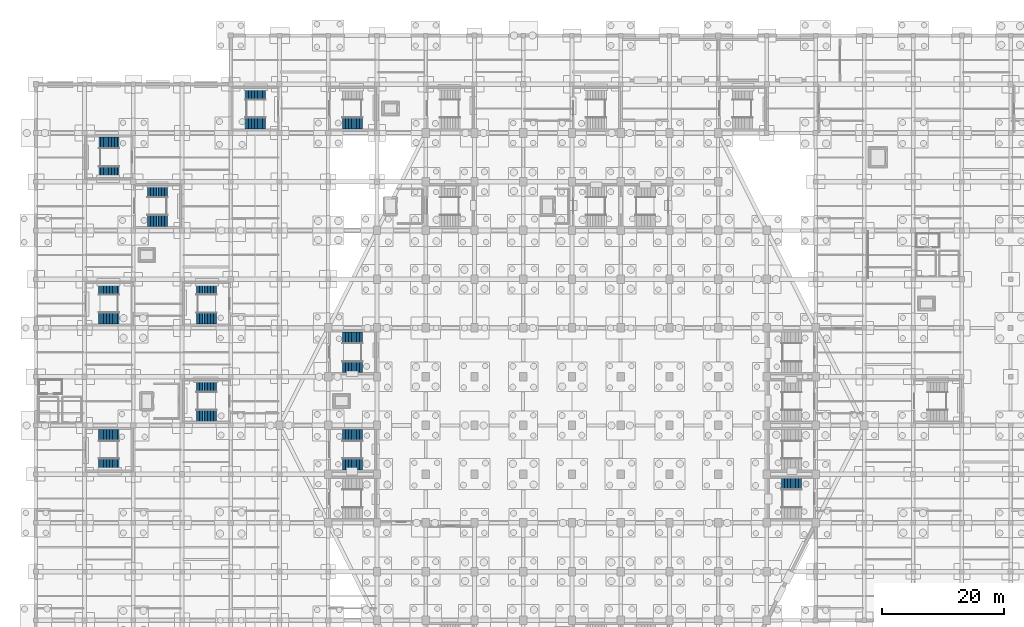
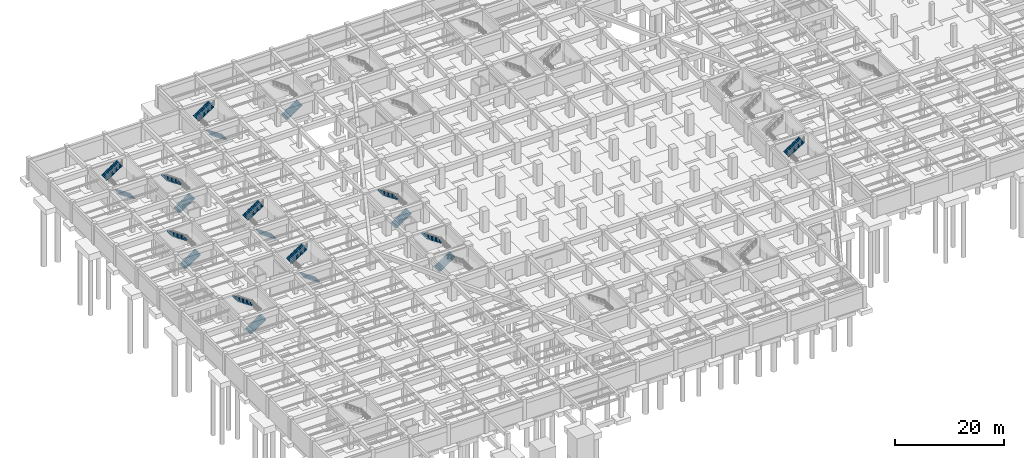
# One storey, part 31 of 36: 20 stair flights, 11 elements without a shape of their own.
"""IFC4 building model written with IfcOpenShell, lengths in metres."""

from ifc_helpers import new_model, si_unit, direction, frame, origin, place, context, subcontext, project, spatial, polyline, outline, extrude, material, type_object, element, aggregate, save


model = new_model("IFC4")

# Units and contexts
model_context = context("Model", 3, precision=1e-05, world=origin(), true_north=direction((0.0, 1.0)))
body_context = subcontext(model_context, "Body", "Model", "MODEL_VIEW")
ifc_project = project(units=[si_unit("LENGTHUNIT", "METRE"), si_unit("AREAUNIT", "SQUARE_METRE"), si_unit("VOLUMEUNIT", "CUBIC_METRE"), si_unit("PLANEANGLEUNIT", "RADIAN"), si_unit("MASSUNIT", "GRAM", prefix="KILO")], contexts=[model_context])

# Site, building, storey
site_placement = place(None, origin())
site = spatial("IfcSite", under=ifc_project, at=site_placement, CompositionType="ELEMENT")
building_placement = place(site_placement, origin())
building = spatial("IfcBuilding", under=site, at=building_placement, Name="Tazarka Park Arena", CompositionType="ELEMENT")
storey_placement = place(building_placement, frame((0.0, 0.0, -4.800048828125)))
storey = spatial("IfcBuildingStorey", under=building, at=storey_placement, Name="B1", CompositionType="ELEMENT", Elevation=-4.800048828125)

# Stair, stair flights
ifc_material_1 = material(Name="Precast concrete C40/50", Category="concrete")
stair_type_1 = type_object("IfcStairType", Name="STR-2400", PredefinedType="HALF_TURN_STAIR", material=ifc_material_1)
stair_1_placement = place(storey_placement, origin())
stair_1 = element("IfcStair", 1, at=stair_1_placement, inside=storey, type_object=stair_type_1, Name="Stair ST01 B1", PredefinedType="HALF_TURN_STAIR")
ifc_material_2 = material(Name="Precast concrete C40/50", Category="concrete")
stair_flight_type_1 = type_object("IfcStairFlightType", Name="FLT-1350", PredefinedType="STRAIGHT", material=ifc_material_2)
stair_flight_1_placement = place(storey_placement, frame((10.31494140625, 57.6298828125, 0.0), z_axis=(0.0, 0.0, 1.0), x_axis=(1.0, 0.0, 0.0)))
stair_flight_1 = element("IfcStairFlight", 2, at=stair_flight_1_placement, type_object=stair_flight_type_1, Name="ST01-B1 flight 1", NumberOfRisers=14, NumberOfTreads=13, PredefinedType="STRAIGHT", RiserHeight=0.171429, TreadLength=0.255, context=body_context, shape_type="SweptSolid", body=[
    extrude(outline(polyline([(0.0, 0.0), (0.0, 0.17138671875), (0.2548828125, 0.17138671875), (0.2548828125, 0.3427734375), (0.510009765625, 0.3427734375), (0.510009765625, 0.514404296875), (0.764892578125, 0.514404296875), (0.764892578125, 0.685791015625), (1.02001953125, 0.685791015625), (1.02001953125, 0.857177734375), (1.27490234375, 0.857177734375), (1.27490234375, 1.028564453125), (1.530029296875, 1.028564453125), (1.530029296875, 1.199951171875), (1.784912109375, 1.199951171875), (1.784912109375, 1.371337890625), (2.0400390625, 1.371337890625), (2.0400390625, 1.54296875), (2.294921875, 1.54296875), (2.294921875, 1.71435546875), (2.550048828125, 1.71435546875), (2.550048828125, 1.8857421875), (2.804931640625, 1.8857421875), (2.804931640625, 2.05712890625), (3.06005859375, 2.05712890625), (3.06005859375, 2.228515625), (3.31494140625, 2.228515625), (3.31494140625, 2.39990234375), (3.31494140625, 2.01171875), (0.322509765625, 0.0), (0.0, 0.0)])), frame((0.0, 0.969970703125, 0.0), z_axis=(0.0, -1.0, 0.0), x_axis=(1.0, 0.0, 0.0)), (0.0, 0.0, 1.0), 1.93994140625),
])
stair_flight_2_placement = place(storey_placement, frame((13.6298828125, 62.3701171875, 2.400146484375), z_axis=(0.0, 0.0, 1.0), x_axis=(-1.0, 0.0, 0.0)))
stair_flight_2 = element("IfcStairFlight", 3, at=stair_flight_2_placement, type_object=stair_flight_type_1, Name="ST01-B1 flight 2", NumberOfRisers=14, NumberOfTreads=13, PredefinedType="STRAIGHT", RiserHeight=0.171429, TreadLength=0.255, context=body_context, shape_type="SweptSolid", body=[
    extrude(outline(polyline([(0.0, 0.0), (0.0, 0.17138671875), (0.2548828125, 0.17138671875), (0.2548828125, 0.3427734375), (0.510009765625, 0.3427734375), (0.510009765625, 0.514404296875), (0.764892578125, 0.514404296875), (0.764892578125, 0.685791015625), (1.02001953125, 0.685791015625), (1.02001953125, 0.857177734375), (1.27490234375, 0.857177734375), (1.27490234375, 1.028564453125), (1.530029296875, 1.028564453125), (1.530029296875, 1.199951171875), (1.784912109375, 1.199951171875), (1.784912109375, 1.371337890625), (2.0400390625, 1.371337890625), (2.0400390625, 1.54296875), (2.294921875, 1.54296875), (2.294921875, 1.71435546875), (2.550048828125, 1.71435546875), (2.550048828125, 1.8857421875), (2.804931640625, 1.8857421875), (2.804931640625, 2.05712890625), (3.06005859375, 2.05712890625), (3.06005859375, 2.228515625), (3.31494140625, 2.228515625), (3.31494140625, 2.39990234375), (3.31494140625, 2.01171875), (0.322509765625, 0.0), (0.0, 0.0)])), frame((0.0, 0.969970703125, 0.0), z_axis=(0.0, -1.0, 0.0), x_axis=(1.0, 0.0, 0.0)), (0.0, 0.0, 1.0), 1.93994140625),
])
aggregate(stair_1, [stair_flight_1, stair_flight_2])

stair_2_placement = place(storey_placement, origin())
stair_2 = element("IfcStair", 4, at=stair_2_placement, inside=storey, type_object=stair_type_1, Name="Stair ST02 B1", PredefinedType="HALF_TURN_STAIR")
stair_flight_3_placement = place(storey_placement, frame((10.31494140625, 81.6298828125, 0.0), z_axis=(0.0, 0.0, 1.0), x_axis=(1.0, 0.0, 0.0)))
stair_flight_3 = element("IfcStairFlight", 5, at=stair_flight_3_placement, type_object=stair_flight_type_1, Name="ST02-B1 flight 1", NumberOfRisers=14, NumberOfTreads=13, PredefinedType="STRAIGHT", RiserHeight=0.171429, TreadLength=0.255, context=body_context, shape_type="SweptSolid", body=[
    extrude(outline(polyline([(0.0, 0.0), (0.0, 0.17138671875), (0.2548828125, 0.17138671875), (0.2548828125, 0.3427734375), (0.510009765625, 0.3427734375), (0.510009765625, 0.514404296875), (0.764892578125, 0.514404296875), (0.764892578125, 0.685791015625), (1.02001953125, 0.685791015625), (1.02001953125, 0.857177734375), (1.27490234375, 0.857177734375), (1.27490234375, 1.028564453125), (1.530029296875, 1.028564453125), (1.530029296875, 1.199951171875), (1.784912109375, 1.199951171875), (1.784912109375, 1.371337890625), (2.0400390625, 1.371337890625), (2.0400390625, 1.54296875), (2.294921875, 1.54296875), (2.294921875, 1.71435546875), (2.550048828125, 1.71435546875), (2.550048828125, 1.8857421875), (2.804931640625, 1.8857421875), (2.804931640625, 2.05712890625), (3.06005859375, 2.05712890625), (3.06005859375, 2.228515625), (3.31494140625, 2.228515625), (3.31494140625, 2.39990234375), (3.31494140625, 2.01171875), (0.322509765625, 0.0), (0.0, 0.0)])), frame((0.0, 0.969970703125, 0.0), z_axis=(0.0, -1.0, 0.0), x_axis=(1.0, 0.0, 0.0)), (0.0, 0.0, 1.0), 1.93994140625),
])
stair_flight_4_placement = place(storey_placement, frame((13.6298828125, 86.3701171875, 2.400146484375), z_axis=(0.0, 0.0, 1.0), x_axis=(-1.0, 0.0, 0.0)))
stair_flight_4 = element("IfcStairFlight", 6, at=stair_flight_4_placement, type_object=stair_flight_type_1, Name="ST02-B1 flight 2", NumberOfRisers=14, NumberOfTreads=13, PredefinedType="STRAIGHT", RiserHeight=0.171429, TreadLength=0.255, context=body_context, shape_type="SweptSolid", body=[
    extrude(outline(polyline([(0.0, 0.0), (0.0, 0.17138671875), (0.2548828125, 0.17138671875), (0.2548828125, 0.3427734375), (0.510009765625, 0.3427734375), (0.510009765625, 0.514404296875), (0.764892578125, 0.514404296875), (0.764892578125, 0.685791015625), (1.02001953125, 0.685791015625), (1.02001953125, 0.857177734375), (1.27490234375, 0.857177734375), (1.27490234375, 1.028564453125), (1.530029296875, 1.028564453125), (1.530029296875, 1.199951171875), (1.784912109375, 1.199951171875), (1.784912109375, 1.371337890625), (2.0400390625, 1.371337890625), (2.0400390625, 1.54296875), (2.294921875, 1.54296875), (2.294921875, 1.71435546875), (2.550048828125, 1.71435546875), (2.550048828125, 1.8857421875), (2.804931640625, 1.8857421875), (2.804931640625, 2.05712890625), (3.06005859375, 2.05712890625), (3.06005859375, 2.228515625), (3.31494140625, 2.228515625), (3.31494140625, 2.39990234375), (3.31494140625, 2.01171875), (0.322509765625, 0.0), (0.0, 0.0)])), frame((0.0, 0.969970703125, 0.0), z_axis=(0.0, -1.0, 0.0), x_axis=(1.0, 0.0, 0.0)), (0.0, 0.0, 1.0), 1.93994140625),
])
aggregate(stair_2, [stair_flight_3, stair_flight_4])

stair_3_placement = place(storey_placement, origin())
stair_3 = element("IfcStair", 7, at=stair_3_placement, inside=storey, type_object=stair_type_1, Name="Stair ST03 B1", PredefinedType="HALF_TURN_STAIR")
stair_flight_5_placement = place(storey_placement, frame((18.31494140625, 97.6298828125, 0.0), z_axis=(0.0, 0.0, 1.0), x_axis=(1.0, 0.0, 0.0)))
stair_flight_5 = element("IfcStairFlight", 8, at=stair_flight_5_placement, type_object=stair_flight_type_1, Name="ST03-B1 flight 1", NumberOfRisers=14, NumberOfTreads=13, PredefinedType="STRAIGHT", RiserHeight=0.171429, TreadLength=0.255, context=body_context, shape_type="SweptSolid", body=[
    extrude(outline(polyline([(0.0, 0.0), (0.0, 0.17138671875), (0.2548828125, 0.17138671875), (0.2548828125, 0.3427734375), (0.510009765625, 0.3427734375), (0.510009765625, 0.514404296875), (0.764892578125, 0.514404296875), (0.764892578125, 0.685791015625), (1.02001953125, 0.685791015625), (1.02001953125, 0.857177734375), (1.27490234375, 0.857177734375), (1.27490234375, 1.028564453125), (1.530029296875, 1.028564453125), (1.530029296875, 1.199951171875), (1.784912109375, 1.199951171875), (1.784912109375, 1.371337890625), (2.0400390625, 1.371337890625), (2.0400390625, 1.54296875), (2.294921875, 1.54296875), (2.294921875, 1.71435546875), (2.550048828125, 1.71435546875), (2.550048828125, 1.8857421875), (2.804931640625, 1.8857421875), (2.804931640625, 2.05712890625), (3.06005859375, 2.05712890625), (3.06005859375, 2.228515625), (3.31494140625, 2.228515625), (3.31494140625, 2.39990234375), (3.31494140625, 2.01171875), (0.322509765625, 0.0), (0.0, 0.0)])), frame((0.0, 0.969970703125, 0.0), z_axis=(0.0, -1.0, 0.0), x_axis=(1.0, 0.0, 0.0)), (0.0, 0.0, 1.0), 1.93994140625),
])
stair_flight_6_placement = place(storey_placement, frame((21.6298828125, 102.3701171875, 2.400146484375), z_axis=(0.0, 0.0, 1.0), x_axis=(-1.0, 0.0, 0.0)))
stair_flight_6 = element("IfcStairFlight", 9, at=stair_flight_6_placement, type_object=stair_flight_type_1, Name="ST03-B1 flight 2", NumberOfRisers=14, NumberOfTreads=13, PredefinedType="STRAIGHT", RiserHeight=0.171429, TreadLength=0.255, context=body_context, shape_type="SweptSolid", body=[
    extrude(outline(polyline([(0.0, 0.0), (0.0, 0.17138671875), (0.2548828125, 0.17138671875), (0.2548828125, 0.3427734375), (0.510009765625, 0.3427734375), (0.510009765625, 0.514404296875), (0.764892578125, 0.514404296875), (0.764892578125, 0.685791015625), (1.02001953125, 0.685791015625), (1.02001953125, 0.857177734375), (1.27490234375, 0.857177734375), (1.27490234375, 1.028564453125), (1.530029296875, 1.028564453125), (1.530029296875, 1.199951171875), (1.784912109375, 1.199951171875), (1.784912109375, 1.371337890625), (2.0400390625, 1.371337890625), (2.0400390625, 1.54296875), (2.294921875, 1.54296875), (2.294921875, 1.71435546875), (2.550048828125, 1.71435546875), (2.550048828125, 1.8857421875), (2.804931640625, 1.8857421875), (2.804931640625, 2.05712890625), (3.06005859375, 2.05712890625), (3.06005859375, 2.228515625), (3.31494140625, 2.228515625), (3.31494140625, 2.39990234375), (3.31494140625, 2.01171875), (0.322509765625, 0.0), (0.0, 0.0)])), frame((0.0, 0.969970703125, 0.0), z_axis=(0.0, -1.0, 0.0), x_axis=(1.0, 0.0, 0.0)), (0.0, 0.0, 1.0), 1.93994140625),
])
aggregate(stair_3, [stair_flight_5, stair_flight_6])

stair_4_placement = place(storey_placement, origin())
stair_4 = element("IfcStair", 10, at=stair_4_placement, inside=storey, type_object=stair_type_1, Name="Stair ST04 B1", PredefinedType="HALF_TURN_STAIR")
stair_flight_7_placement = place(storey_placement, frame((37.68505859375, 113.6298828125, 0.0), z_axis=(0.0, 0.0, 1.0), x_axis=(-1.0, 0.0, 0.0)))
stair_flight_7 = element("IfcStairFlight", 11, at=stair_flight_7_placement, type_object=stair_flight_type_1, Name="ST04-B1 flight 1", NumberOfRisers=14, NumberOfTreads=13, PredefinedType="STRAIGHT", RiserHeight=0.171429, TreadLength=0.255, context=body_context, shape_type="SweptSolid", body=[
    extrude(outline(polyline([(0.0, 0.0), (0.0, 0.17138671875), (0.2548828125, 0.17138671875), (0.2548828125, 0.3427734375), (0.510009765625, 0.3427734375), (0.510009765625, 0.514404296875), (0.764892578125, 0.514404296875), (0.764892578125, 0.685791015625), (1.02001953125, 0.685791015625), (1.02001953125, 0.857177734375), (1.27490234375, 0.857177734375), (1.27490234375, 1.028564453125), (1.530029296875, 1.028564453125), (1.530029296875, 1.199951171875), (1.784912109375, 1.199951171875), (1.784912109375, 1.371337890625), (2.0400390625, 1.371337890625), (2.0400390625, 1.54296875), (2.294921875, 1.54296875), (2.294921875, 1.71435546875), (2.550048828125, 1.71435546875), (2.550048828125, 1.8857421875), (2.804931640625, 1.8857421875), (2.804931640625, 2.05712890625), (3.06005859375, 2.05712890625), (3.06005859375, 2.228515625), (3.31494140625, 2.228515625), (3.31494140625, 2.39990234375), (3.31494140625, 2.01171875), (0.322509765625, 0.0), (0.0, 0.0)])), frame((0.0, 0.969970703125, 0.0), z_axis=(0.0, -1.0, 0.0), x_axis=(1.0, 0.0, 0.0)), (0.0, 0.0, 1.0), 1.93994140625),
])
stair_flight_8_placement = place(storey_placement, frame((34.3701171875, 118.3701171875, 2.400146484375), z_axis=(0.0, 0.0, 1.0), x_axis=(1.0, 0.0, 0.0)))
stair_flight_8 = element("IfcStairFlight", 12, at=stair_flight_8_placement, type_object=stair_flight_type_1, Name="ST04-B1 flight 2", NumberOfRisers=14, NumberOfTreads=13, PredefinedType="STRAIGHT", RiserHeight=0.171429, TreadLength=0.255, context=body_context, shape_type="SweptSolid", body=[
    extrude(outline(polyline([(0.0, 0.0), (0.0, 0.17138671875), (0.2548828125, 0.17138671875), (0.2548828125, 0.3427734375), (0.510009765625, 0.3427734375), (0.510009765625, 0.514404296875), (0.764892578125, 0.514404296875), (0.764892578125, 0.685791015625), (1.02001953125, 0.685791015625), (1.02001953125, 0.857177734375), (1.27490234375, 0.857177734375), (1.27490234375, 1.028564453125), (1.530029296875, 1.028564453125), (1.530029296875, 1.199951171875), (1.784912109375, 1.199951171875), (1.784912109375, 1.371337890625), (2.0400390625, 1.371337890625), (2.0400390625, 1.54296875), (2.294921875, 1.54296875), (2.294921875, 1.71435546875), (2.550048828125, 1.71435546875), (2.550048828125, 1.8857421875), (2.804931640625, 1.8857421875), (2.804931640625, 2.05712890625), (3.06005859375, 2.05712890625), (3.06005859375, 2.228515625), (3.31494140625, 2.228515625), (3.31494140625, 2.39990234375), (3.31494140625, 2.01171875), (0.322509765625, 0.0), (0.0, 0.0)])), frame((0.0, 0.969970703125, 0.0), z_axis=(0.0, -1.0, 0.0), x_axis=(1.0, 0.0, 0.0)), (0.0, 0.0, 1.0), 1.93994140625),
])
aggregate(stair_4, [stair_flight_7, stair_flight_8])

# Stair, stair flight
stair_5_placement = place(storey_placement, origin())
stair_5 = element("IfcStair", 13, at=stair_5_placement, inside=storey, type_object=stair_type_1, Name="Stair ST05 B1", PredefinedType="HALF_TURN_STAIR")
stair_flight_9_placement = place(storey_placement, frame((50.31494140625, 113.6298828125, 0.0), z_axis=(0.0, 0.0, 1.0), x_axis=(1.0, 0.0, 0.0)))
stair_flight_9 = element("IfcStairFlight", 14, at=stair_flight_9_placement, type_object=stair_flight_type_1, Name="ST05-B1 flight 1", NumberOfRisers=14, NumberOfTreads=13, PredefinedType="STRAIGHT", RiserHeight=0.171429, TreadLength=0.255, context=body_context, shape_type="SweptSolid", body=[
    extrude(outline(polyline([(0.0, 0.0), (0.0, 0.17138671875), (0.2548828125, 0.17138671875), (0.2548828125, 0.3427734375), (0.510009765625, 0.3427734375), (0.510009765625, 0.514404296875), (0.764892578125, 0.514404296875), (0.764892578125, 0.685791015625), (1.02001953125, 0.685791015625), (1.02001953125, 0.857177734375), (1.27490234375, 0.857177734375), (1.27490234375, 1.028564453125), (1.530029296875, 1.028564453125), (1.530029296875, 1.199951171875), (1.784912109375, 1.199951171875), (1.784912109375, 1.371337890625), (2.0400390625, 1.371337890625), (2.0400390625, 1.54296875), (2.294921875, 1.54296875), (2.294921875, 1.71435546875), (2.550048828125, 1.71435546875), (2.550048828125, 1.8857421875), (2.804931640625, 1.8857421875), (2.804931640625, 2.05712890625), (3.06005859375, 2.05712890625), (3.06005859375, 2.228515625), (3.31494140625, 2.228515625), (3.31494140625, 2.39990234375), (3.31494140625, 2.01171875), (0.322509765625, 0.0), (0.0, 0.0)])), frame((0.0, 0.969970703125, 0.0), z_axis=(0.0, -1.0, 0.0), x_axis=(1.0, 0.0, 0.0)), (0.0, 0.0, 1.0), 1.93994140625),
])
aggregate(stair_5, [stair_flight_9])

# Stair, stair flights
stair_6_placement = place(storey_placement, origin())
stair_6 = element("IfcStair", 15, at=stair_6_placement, inside=storey, type_object=stair_type_1, Name="Stair ST13 B1", PredefinedType="HALF_TURN_STAIR")
stair_flight_10_placement = place(storey_placement, frame((50.31494140625, 57.6298828125, 0.0), z_axis=(0.0, 0.0, 1.0), x_axis=(1.0, 0.0, 0.0)))
stair_flight_10 = element("IfcStairFlight", 16, at=stair_flight_10_placement, type_object=stair_flight_type_1, Name="ST13-B1 flight 1", NumberOfRisers=14, NumberOfTreads=13, PredefinedType="STRAIGHT", RiserHeight=0.171429, TreadLength=0.255, context=body_context, shape_type="SweptSolid", body=[
    extrude(outline(polyline([(0.0, 0.0), (0.0, 0.17138671875), (0.2548828125, 0.17138671875), (0.2548828125, 0.3427734375), (0.510009765625, 0.3427734375), (0.510009765625, 0.514404296875), (0.764892578125, 0.514404296875), (0.764892578125, 0.685791015625), (1.02001953125, 0.685791015625), (1.02001953125, 0.857177734375), (1.27490234375, 0.857177734375), (1.27490234375, 1.028564453125), (1.530029296875, 1.028564453125), (1.530029296875, 1.199951171875), (1.784912109375, 1.199951171875), (1.784912109375, 1.371337890625), (2.0400390625, 1.371337890625), (2.0400390625, 1.54296875), (2.294921875, 1.54296875), (2.294921875, 1.71435546875), (2.550048828125, 1.71435546875), (2.550048828125, 1.8857421875), (2.804931640625, 1.8857421875), (2.804931640625, 2.05712890625), (3.06005859375, 2.05712890625), (3.06005859375, 2.228515625), (3.31494140625, 2.228515625), (3.31494140625, 2.39990234375), (3.31494140625, 2.01171875), (0.322509765625, 0.0), (0.0, 0.0)])), frame((0.0, 0.969970703125, 0.0), z_axis=(0.0, -1.0, 0.0), x_axis=(1.0, 0.0, 0.0)), (0.0, 0.0, 1.0), 1.93994140625),
])
stair_flight_11_placement = place(storey_placement, frame((53.6298828125, 62.3701171875, 2.400146484375), z_axis=(0.0, 0.0, 1.0), x_axis=(-1.0, 0.0, 0.0)))
stair_flight_11 = element("IfcStairFlight", 17, at=stair_flight_11_placement, type_object=stair_flight_type_1, Name="ST13-B1 flight 2", NumberOfRisers=14, NumberOfTreads=13, PredefinedType="STRAIGHT", RiserHeight=0.171429, TreadLength=0.255, context=body_context, shape_type="SweptSolid", body=[
    extrude(outline(polyline([(0.0, 0.0), (0.0, 0.17138671875), (0.2548828125, 0.17138671875), (0.2548828125, 0.3427734375), (0.510009765625, 0.3427734375), (0.510009765625, 0.514404296875), (0.764892578125, 0.514404296875), (0.764892578125, 0.685791015625), (1.02001953125, 0.685791015625), (1.02001953125, 0.857177734375), (1.27490234375, 0.857177734375), (1.27490234375, 1.028564453125), (1.530029296875, 1.028564453125), (1.530029296875, 1.199951171875), (1.784912109375, 1.199951171875), (1.784912109375, 1.371337890625), (2.0400390625, 1.371337890625), (2.0400390625, 1.54296875), (2.294921875, 1.54296875), (2.294921875, 1.71435546875), (2.550048828125, 1.71435546875), (2.550048828125, 1.8857421875), (2.804931640625, 1.8857421875), (2.804931640625, 2.05712890625), (3.06005859375, 2.05712890625), (3.06005859375, 2.228515625), (3.31494140625, 2.228515625), (3.31494140625, 2.39990234375), (3.31494140625, 2.01171875), (0.322509765625, 0.0), (0.0, 0.0)])), frame((0.0, 0.969970703125, 0.0), z_axis=(0.0, -1.0, 0.0), x_axis=(1.0, 0.0, 0.0)), (0.0, 0.0, 1.0), 1.93994140625),
])
aggregate(stair_6, [stair_flight_10, stair_flight_11])

ifc_material_3 = material(Name="Precast concrete C40/50", Category="concrete")
stair_type_2 = type_object("IfcStairType", Name="STR-1800", PredefinedType="HALF_TURN_STAIR", material=ifc_material_3)
stair_7_placement = place(storey_placement, origin())
stair_7 = element("IfcStair", 18, at=stair_7_placement, inside=storey, type_object=stair_type_2, Name="Vomitory Stair ST20 B1", PredefinedType="HALF_TURN_STAIR")
ifc_material_4 = material(Name="Precast concrete C40/50", Category="concrete")
stair_flight_type_2 = type_object("IfcStairFlightType", Name="FLT-1800", PredefinedType="STRAIGHT", material=ifc_material_4)
stair_flight_12_placement = place(storey_placement, frame((50.31494140625, 73.610107421875, 0.0), z_axis=(0.0, 0.0, 1.0), x_axis=(1.0, 0.0, 0.0)))
stair_flight_12 = element("IfcStairFlight", 19, at=stair_flight_12_placement, type_object=stair_flight_type_2, Name="ST20-B1 flight 1", NumberOfRisers=14, NumberOfTreads=13, PredefinedType="STRAIGHT", RiserHeight=0.171429, TreadLength=0.255, context=body_context, shape_type="SweptSolid", body=[
    extrude(outline(polyline([(0.0, 0.0), (0.0, 0.17138671875), (0.2548828125, 0.17138671875), (0.2548828125, 0.3427734375), (0.510009765625, 0.3427734375), (0.510009765625, 0.514404296875), (0.764892578125, 0.514404296875), (0.764892578125, 0.685791015625), (1.02001953125, 0.685791015625), (1.02001953125, 0.857177734375), (1.27490234375, 0.857177734375), (1.27490234375, 1.028564453125), (1.530029296875, 1.028564453125), (1.530029296875, 1.199951171875), (1.784912109375, 1.199951171875), (1.784912109375, 1.371337890625), (2.0400390625, 1.371337890625), (2.0400390625, 1.54296875), (2.294921875, 1.54296875), (2.294921875, 1.71435546875), (2.550048828125, 1.71435546875), (2.550048828125, 1.8857421875), (2.804931640625, 1.8857421875), (2.804931640625, 2.05712890625), (3.06005859375, 2.05712890625), (3.06005859375, 2.228515625), (3.31494140625, 2.228515625), (3.31494140625, 2.39990234375), (3.31494140625, 2.01171875), (0.322509765625, 0.0), (0.0, 0.0)])), frame((0.0, 0.949951171875, 0.0), z_axis=(0.0, -1.0, 0.0), x_axis=(1.0, 0.0, 0.0)), (0.0, 0.0, 1.0), 1.89990234375),
])
stair_flight_13_placement = place(storey_placement, frame((53.6298828125, 78.389892578125, 2.400146484375), z_axis=(0.0, 0.0, 1.0), x_axis=(-1.0, 0.0, 0.0)))
stair_flight_13 = element("IfcStairFlight", 20, at=stair_flight_13_placement, type_object=stair_flight_type_2, Name="ST20-B1 flight 2", NumberOfRisers=14, NumberOfTreads=13, PredefinedType="STRAIGHT", RiserHeight=0.171429, TreadLength=0.255, context=body_context, shape_type="SweptSolid", body=[
    extrude(outline(polyline([(0.0, 0.0), (0.0, 0.17138671875), (0.2548828125, 0.17138671875), (0.2548828125, 0.3427734375), (0.510009765625, 0.3427734375), (0.510009765625, 0.514404296875), (0.764892578125, 0.514404296875), (0.764892578125, 0.685791015625), (1.02001953125, 0.685791015625), (1.02001953125, 0.857177734375), (1.27490234375, 0.857177734375), (1.27490234375, 1.028564453125), (1.530029296875, 1.028564453125), (1.530029296875, 1.199951171875), (1.784912109375, 1.199951171875), (1.784912109375, 1.371337890625), (2.0400390625, 1.371337890625), (2.0400390625, 1.54296875), (2.294921875, 1.54296875), (2.294921875, 1.71435546875), (2.550048828125, 1.71435546875), (2.550048828125, 1.8857421875), (2.804931640625, 1.8857421875), (2.804931640625, 2.05712890625), (3.06005859375, 2.05712890625), (3.06005859375, 2.228515625), (3.31494140625, 2.228515625), (3.31494140625, 2.39990234375), (3.31494140625, 2.01171875), (0.322509765625, 0.0), (0.0, 0.0)])), frame((0.0, 0.949951171875, 0.0), z_axis=(0.0, -1.0, 0.0), x_axis=(1.0, 0.0, 0.0)), (0.0, 0.0, 1.0), 1.89990234375),
])
aggregate(stair_7, [stair_flight_12, stair_flight_13])

# Stair, stair flight
stair_8_placement = place(storey_placement, origin())
stair_8 = element("IfcStair", 21, at=stair_8_placement, inside=storey, type_object=stair_type_2, Name="Vomitory Stair ST21 B1", PredefinedType="HALF_TURN_STAIR")
stair_flight_14_placement = place(storey_placement, frame((122.3701171875, 54.389892578125, 2.400146484375), z_axis=(0.0, 0.0, 1.0), x_axis=(1.0, 0.0, 0.0)))
stair_flight_14 = element("IfcStairFlight", 22, at=stair_flight_14_placement, type_object=stair_flight_type_2, Name="ST21-B1 flight 2", NumberOfRisers=14, NumberOfTreads=13, PredefinedType="STRAIGHT", RiserHeight=0.171429, TreadLength=0.255, context=body_context, shape_type="SweptSolid", body=[
    extrude(outline(polyline([(0.0, 0.0), (0.0, 0.17138671875), (0.2548828125, 0.17138671875), (0.2548828125, 0.3427734375), (0.510009765625, 0.3427734375), (0.510009765625, 0.514404296875), (0.764892578125, 0.514404296875), (0.764892578125, 0.685791015625), (1.02001953125, 0.685791015625), (1.02001953125, 0.857177734375), (1.27490234375, 0.857177734375), (1.27490234375, 1.028564453125), (1.530029296875, 1.028564453125), (1.530029296875, 1.199951171875), (1.784912109375, 1.199951171875), (1.784912109375, 1.371337890625), (2.0400390625, 1.371337890625), (2.0400390625, 1.54296875), (2.294921875, 1.54296875), (2.294921875, 1.71435546875), (2.550048828125, 1.71435546875), (2.550048828125, 1.8857421875), (2.804931640625, 1.8857421875), (2.804931640625, 2.05712890625), (3.06005859375, 2.05712890625), (3.06005859375, 2.228515625), (3.31494140625, 2.228515625), (3.31494140625, 2.39990234375), (3.31494140625, 2.01171875), (0.322509765625, 0.0), (0.0, 0.0)])), frame((0.0, 0.949951171875, 0.0), z_axis=(0.0, -1.0, 0.0), x_axis=(1.0, 0.0, 0.0)), (0.0, 0.0, 1.0), 1.89990234375),
])
aggregate(stair_8, [stair_flight_14])

# Stair, stair flights
stair_9_placement = place(storey_placement, origin())
stair_9 = element("IfcStair", 23, at=stair_9_placement, inside=storey, type_object=stair_type_2, Name="Vomitory Stair ST24 B1", PredefinedType="HALF_TURN_STAIR")
stair_flight_15_placement = place(storey_placement, frame((29.68505859375, 65.610107421875, 0.0), z_axis=(0.0, 0.0, 1.0), x_axis=(-1.0, 0.0, 0.0)))
stair_flight_15 = element("IfcStairFlight", 24, at=stair_flight_15_placement, type_object=stair_flight_type_2, Name="ST24-B1 flight 1", NumberOfRisers=14, NumberOfTreads=13, PredefinedType="STRAIGHT", RiserHeight=0.171429, TreadLength=0.255, context=body_context, shape_type="SweptSolid", body=[
    extrude(outline(polyline([(0.0, 0.0), (0.0, 0.17138671875), (0.2548828125, 0.17138671875), (0.2548828125, 0.3427734375), (0.510009765625, 0.3427734375), (0.510009765625, 0.514404296875), (0.764892578125, 0.514404296875), (0.764892578125, 0.685791015625), (1.02001953125, 0.685791015625), (1.02001953125, 0.857177734375), (1.27490234375, 0.857177734375), (1.27490234375, 1.028564453125), (1.530029296875, 1.028564453125), (1.530029296875, 1.199951171875), (1.784912109375, 1.199951171875), (1.784912109375, 1.371337890625), (2.0400390625, 1.371337890625), (2.0400390625, 1.54296875), (2.294921875, 1.54296875), (2.294921875, 1.71435546875), (2.550048828125, 1.71435546875), (2.550048828125, 1.8857421875), (2.804931640625, 1.8857421875), (2.804931640625, 2.05712890625), (3.06005859375, 2.05712890625), (3.06005859375, 2.228515625), (3.31494140625, 2.228515625), (3.31494140625, 2.39990234375), (3.31494140625, 2.01171875), (0.322509765625, 0.0), (0.0, 0.0)])), frame((0.0, 0.949951171875, 0.0), z_axis=(0.0, -1.0, 0.0), x_axis=(1.0, 0.0, 0.0)), (0.0, 0.0, 1.0), 1.89990234375),
])
stair_flight_16_placement = place(storey_placement, frame((26.3701171875, 70.389892578125, 2.400146484375), z_axis=(0.0, 0.0, 1.0), x_axis=(1.0, 0.0, 0.0)))
stair_flight_16 = element("IfcStairFlight", 25, at=stair_flight_16_placement, type_object=stair_flight_type_2, Name="ST24-B1 flight 2", NumberOfRisers=14, NumberOfTreads=13, PredefinedType="STRAIGHT", RiserHeight=0.171429, TreadLength=0.255, context=body_context, shape_type="SweptSolid", body=[
    extrude(outline(polyline([(0.0, 0.0), (0.0, 0.17138671875), (0.2548828125, 0.17138671875), (0.2548828125, 0.3427734375), (0.510009765625, 0.3427734375), (0.510009765625, 0.514404296875), (0.764892578125, 0.514404296875), (0.764892578125, 0.685791015625), (1.02001953125, 0.685791015625), (1.02001953125, 0.857177734375), (1.27490234375, 0.857177734375), (1.27490234375, 1.028564453125), (1.530029296875, 1.028564453125), (1.530029296875, 1.199951171875), (1.784912109375, 1.199951171875), (1.784912109375, 1.371337890625), (2.0400390625, 1.371337890625), (2.0400390625, 1.54296875), (2.294921875, 1.54296875), (2.294921875, 1.71435546875), (2.550048828125, 1.71435546875), (2.550048828125, 1.8857421875), (2.804931640625, 1.8857421875), (2.804931640625, 2.05712890625), (3.06005859375, 2.05712890625), (3.06005859375, 2.228515625), (3.31494140625, 2.228515625), (3.31494140625, 2.39990234375), (3.31494140625, 2.01171875), (0.322509765625, 0.0), (0.0, 0.0)])), frame((0.0, 0.949951171875, 0.0), z_axis=(0.0, -1.0, 0.0), x_axis=(1.0, 0.0, 0.0)), (0.0, 0.0, 1.0), 1.89990234375),
])
aggregate(stair_9, [stair_flight_15, stair_flight_16])

stair_10_placement = place(storey_placement, origin())
stair_10 = element("IfcStair", 26, at=stair_10_placement, inside=storey, type_object=stair_type_2, Name="Vomitory Stair ST25 B1", PredefinedType="HALF_TURN_STAIR")
stair_flight_17_placement = place(storey_placement, frame((13.68505859375, 105.610107421875, 0.0), z_axis=(0.0, 0.0, 1.0), x_axis=(-1.0, 0.0, 0.0)))
stair_flight_17 = element("IfcStairFlight", 27, at=stair_flight_17_placement, type_object=stair_flight_type_2, Name="ST25-B1 flight 1", NumberOfRisers=14, NumberOfTreads=13, PredefinedType="STRAIGHT", RiserHeight=0.171429, TreadLength=0.255, context=body_context, shape_type="SweptSolid", body=[
    extrude(outline(polyline([(0.0, 0.0), (0.0, 0.17138671875), (0.2548828125, 0.17138671875), (0.2548828125, 0.3427734375), (0.510009765625, 0.3427734375), (0.510009765625, 0.514404296875), (0.764892578125, 0.514404296875), (0.764892578125, 0.685791015625), (1.02001953125, 0.685791015625), (1.02001953125, 0.857177734375), (1.27490234375, 0.857177734375), (1.27490234375, 1.028564453125), (1.530029296875, 1.028564453125), (1.530029296875, 1.199951171875), (1.784912109375, 1.199951171875), (1.784912109375, 1.371337890625), (2.0400390625, 1.371337890625), (2.0400390625, 1.54296875), (2.294921875, 1.54296875), (2.294921875, 1.71435546875), (2.550048828125, 1.71435546875), (2.550048828125, 1.8857421875), (2.804931640625, 1.8857421875), (2.804931640625, 2.05712890625), (3.06005859375, 2.05712890625), (3.06005859375, 2.228515625), (3.31494140625, 2.228515625), (3.31494140625, 2.39990234375), (3.31494140625, 2.01171875), (0.322509765625, 0.0), (0.0, 0.0)])), frame((0.0, 0.949951171875, 0.0), z_axis=(0.0, -1.0, 0.0), x_axis=(1.0, 0.0, 0.0)), (0.0, 0.0, 1.0), 1.89990234375),
])
stair_flight_18_placement = place(storey_placement, frame((10.3701171875, 110.389892578125, 2.400146484375), z_axis=(0.0, 0.0, 1.0), x_axis=(1.0, 0.0, 0.0)))
stair_flight_18 = element("IfcStairFlight", 28, at=stair_flight_18_placement, type_object=stair_flight_type_2, Name="ST25-B1 flight 2", NumberOfRisers=14, NumberOfTreads=13, PredefinedType="STRAIGHT", RiserHeight=0.171429, TreadLength=0.255, context=body_context, shape_type="SweptSolid", body=[
    extrude(outline(polyline([(0.0, 0.0), (0.0, 0.17138671875), (0.2548828125, 0.17138671875), (0.2548828125, 0.3427734375), (0.510009765625, 0.3427734375), (0.510009765625, 0.514404296875), (0.764892578125, 0.514404296875), (0.764892578125, 0.685791015625), (1.02001953125, 0.685791015625), (1.02001953125, 0.857177734375), (1.27490234375, 0.857177734375), (1.27490234375, 1.028564453125), (1.530029296875, 1.028564453125), (1.530029296875, 1.199951171875), (1.784912109375, 1.199951171875), (1.784912109375, 1.371337890625), (2.0400390625, 1.371337890625), (2.0400390625, 1.54296875), (2.294921875, 1.54296875), (2.294921875, 1.71435546875), (2.550048828125, 1.71435546875), (2.550048828125, 1.8857421875), (2.804931640625, 1.8857421875), (2.804931640625, 2.05712890625), (3.06005859375, 2.05712890625), (3.06005859375, 2.228515625), (3.31494140625, 2.228515625), (3.31494140625, 2.39990234375), (3.31494140625, 2.01171875), (0.322509765625, 0.0), (0.0, 0.0)])), frame((0.0, 0.949951171875, 0.0), z_axis=(0.0, -1.0, 0.0), x_axis=(1.0, 0.0, 0.0)), (0.0, 0.0, 1.0), 1.89990234375),
])
aggregate(stair_10, [stair_flight_17, stair_flight_18])

stair_11_placement = place(storey_placement, origin())
stair_11 = element("IfcStair", 29, at=stair_11_placement, inside=storey, type_object=stair_type_2, Name="Vomitory Stair ST26 B1", PredefinedType="HALF_TURN_STAIR")
stair_flight_19_placement = place(storey_placement, frame((29.68505859375, 81.610107421875, 0.0), z_axis=(0.0, 0.0, 1.0), x_axis=(-1.0, 0.0, 0.0)))
stair_flight_19 = element("IfcStairFlight", 30, at=stair_flight_19_placement, type_object=stair_flight_type_2, Name="ST26-B1 flight 1", NumberOfRisers=14, NumberOfTreads=13, PredefinedType="STRAIGHT", RiserHeight=0.171429, TreadLength=0.255, context=body_context, shape_type="SweptSolid", body=[
    extrude(outline(polyline([(0.0, 0.0), (0.0, 0.17138671875), (0.2548828125, 0.17138671875), (0.2548828125, 0.3427734375), (0.510009765625, 0.3427734375), (0.510009765625, 0.514404296875), (0.764892578125, 0.514404296875), (0.764892578125, 0.685791015625), (1.02001953125, 0.685791015625), (1.02001953125, 0.857177734375), (1.27490234375, 0.857177734375), (1.27490234375, 1.028564453125), (1.530029296875, 1.028564453125), (1.530029296875, 1.199951171875), (1.784912109375, 1.199951171875), (1.784912109375, 1.371337890625), (2.0400390625, 1.371337890625), (2.0400390625, 1.54296875), (2.294921875, 1.54296875), (2.294921875, 1.71435546875), (2.550048828125, 1.71435546875), (2.550048828125, 1.8857421875), (2.804931640625, 1.8857421875), (2.804931640625, 2.05712890625), (3.06005859375, 2.05712890625), (3.06005859375, 2.228515625), (3.31494140625, 2.228515625), (3.31494140625, 2.39990234375), (3.31494140625, 2.01171875), (0.322509765625, 0.0), (0.0, 0.0)])), frame((0.0, 0.949951171875, 0.0), z_axis=(0.0, -1.0, 0.0), x_axis=(1.0, 0.0, 0.0)), (0.0, 0.0, 1.0), 1.89990234375),
])
stair_flight_20_placement = place(storey_placement, frame((26.3701171875, 86.389892578125, 2.400146484375), z_axis=(0.0, 0.0, 1.0), x_axis=(1.0, 0.0, 0.0)))
stair_flight_20 = element("IfcStairFlight", 31, at=stair_flight_20_placement, type_object=stair_flight_type_2, Name="ST26-B1 flight 2", NumberOfRisers=14, NumberOfTreads=13, PredefinedType="STRAIGHT", RiserHeight=0.171429, TreadLength=0.255, context=body_context, shape_type="SweptSolid", body=[
    extrude(outline(polyline([(0.0, 0.0), (0.0, 0.17138671875), (0.2548828125, 0.17138671875), (0.2548828125, 0.3427734375), (0.510009765625, 0.3427734375), (0.510009765625, 0.514404296875), (0.764892578125, 0.514404296875), (0.764892578125, 0.685791015625), (1.02001953125, 0.685791015625), (1.02001953125, 0.857177734375), (1.27490234375, 0.857177734375), (1.27490234375, 1.028564453125), (1.530029296875, 1.028564453125), (1.530029296875, 1.199951171875), (1.784912109375, 1.199951171875), (1.784912109375, 1.371337890625), (2.0400390625, 1.371337890625), (2.0400390625, 1.54296875), (2.294921875, 1.54296875), (2.294921875, 1.71435546875), (2.550048828125, 1.71435546875), (2.550048828125, 1.8857421875), (2.804931640625, 1.8857421875), (2.804931640625, 2.05712890625), (3.06005859375, 2.05712890625), (3.06005859375, 2.228515625), (3.31494140625, 2.228515625), (3.31494140625, 2.39990234375), (3.31494140625, 2.01171875), (0.322509765625, 0.0), (0.0, 0.0)])), frame((0.0, 0.949951171875, 0.0), z_axis=(0.0, -1.0, 0.0), x_axis=(1.0, 0.0, 0.0)), (0.0, 0.0, 1.0), 1.89990234375),
])
aggregate(stair_11, [stair_flight_19, stair_flight_20])

save(model, "model.ifc")
